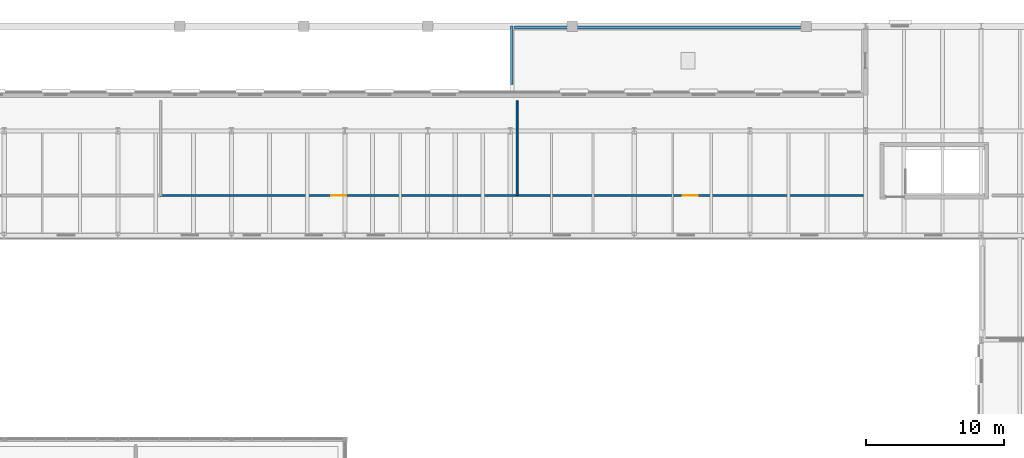
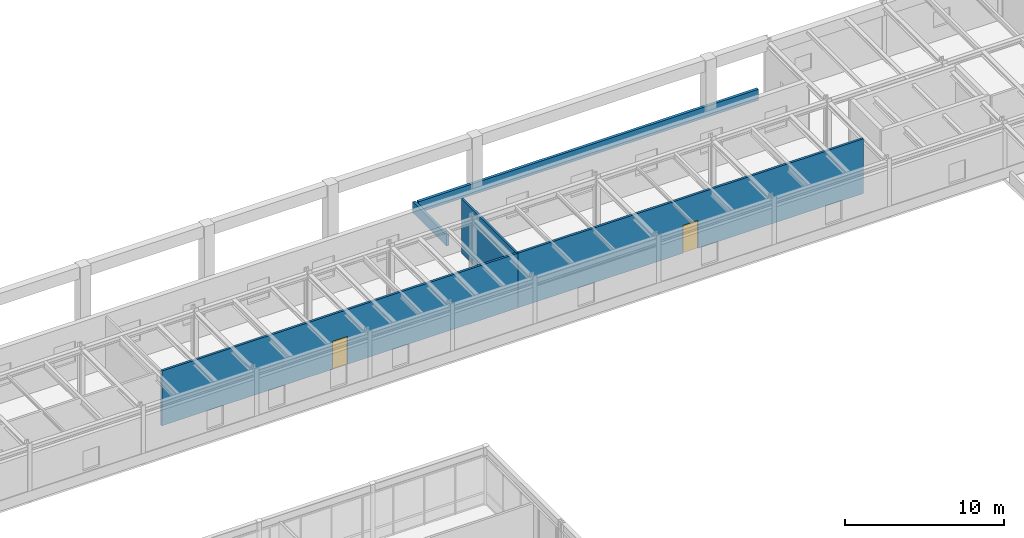
# One storey, part 51 of 64: 5 walls, 2 doors, 2 openings.
"""IFC4 building model written with IfcOpenShell, lengths in metres."""

from ifc_helpers import new_model, si_unit, direction, frame, frame_2d, origin, place, context, subcontext, project, spatial, rectangle, extrude, material, layer, layer_set, type_object, element, fill, save


model = new_model("IFC4")

# Units and contexts
model_context = context("Model", 3, precision=1e-05, world=origin(), true_north=direction((0.0, 1.0)))
body_context = subcontext(model_context, "Body", "Model", "MODEL_VIEW")
ifc_project = project(units=[si_unit("LENGTHUNIT", "METRE"), si_unit("AREAUNIT", "SQUARE_METRE"), si_unit("VOLUMEUNIT", "CUBIC_METRE"), si_unit("PLANEANGLEUNIT", "RADIAN"), si_unit("MASSUNIT", "GRAM", prefix="KILO")], contexts=[model_context])

# Site, building, storey
site_placement = place(None, origin())
site = spatial("IfcSite", under=ifc_project, at=site_placement, CompositionType="ELEMENT")
building_placement = place(site_placement, origin())
building = spatial("IfcBuilding", under=site, at=building_placement, Name="Montealbar Specialist Clinic", CompositionType="ELEMENT")
storey_placement = place(building_placement, frame((0.0, 0.0, 5.10009765625)))
storey = spatial("IfcBuildingStorey", under=building, at=storey_placement, Name="L01", CompositionType="ELEMENT", Elevation=5.10009765625)

# Walls
ifc_material_1 = material(Name="Precast concrete C40/50", Category="concrete")
ifc_layer_1 = layer(ifc_material_1, 0.199951171875, Name="Precast concrete C40/50", Category="concrete")
ifc_layer_set_1 = layer_set([ifc_layer_1], Name="Precast concrete C40/50")
wall_type_1 = type_object("IfcWallType", Name="WL-PARAPET-200", PredefinedType="PARAPET", material=ifc_layer_set_1)
wall_1_placement = place(storey_placement, frame((111.10009765625, 106.75, 0.0), z_axis=(0.0, 0.0, 1.0), x_axis=(0.0, 1.0, 0.0)))
element("IfcWall", 1, at=wall_1_placement, inside=storey, type_object=wall_type_1, Name="Roof Parapet L01-006", PredefinedType="PARAPET", context=body_context, shape_type="SweptSolid", body=[
    extrude(rectangle(XDim=4.25, YDim=0.199951171875, at=frame_2d((2.125, 0.0))), origin(), (0.0, 0.0, 1.0), 0.849853515625),
])
wall_2_placement = place(storey_placement, frame((111.31494140625, 110.89990234375, 0.0), z_axis=(0.0, 0.0, 1.0), x_axis=(1.0, 0.0, 0.0)))
element("IfcWall", 2, at=wall_2_placement, inside=storey, type_object=wall_type_1, Name="Roof Parapet L01-007", PredefinedType="PARAPET", context=body_context, shape_type="SweptSolid", body=[
    extrude(rectangle(XDim=24.735107421875, YDim=0.199951171875, at=frame_2d((12.36767578125, 0.0))), origin(), (0.0, 0.0, 1.0), 0.849853515625),
])
ifc_material_2 = material(Name="Gypsum acoustic partition", Category="gypsum")
ifc_layer_2 = layer(ifc_material_2, 0.139892578125, Name="Gypsum acoustic partition", Category="gypsum")
ifc_layer_set_2 = layer_set([ifc_layer_2], Name="Gypsum acoustic partition")
wall_type_2 = type_object("IfcWallType", Name="WL-PART-ACOUSTIC-140", PredefinedType="PARTITIONING", material=ifc_layer_set_2)
wall_3_placement = place(storey_placement, frame((111.5, 98.699951171875, 0.0), z_axis=(0.0, 0.0, 1.0), x_axis=(0.0, 1.0, 0.0)))
element("IfcWall", 3, at=wall_3_placement, inside=storey, type_object=wall_type_2, Name="Clinical Partition PART-L01-0083", PredefinedType="PARTITIONING", context=body_context, shape_type="SweptSolid", body=[
    extrude(rectangle(XDim=6.900146484375, YDim=0.139892578125, at=frame_2d((3.4501953125, 0.0))), origin(), (0.0, 0.0, 1.0), 4.2099609375),
])

# Wall, opening, door
ifc_layer_3 = layer(ifc_material_2, 0.159912109375, Name="Gypsum acoustic partition", Category="gypsum")
ifc_layer_set_3 = layer_set([ifc_layer_3], Name="Gypsum acoustic partition")
wall_type_3 = type_object("IfcWallType", Name="WL-PART-CLINIC-160", PredefinedType="PARTITIONING", material=ifc_layer_set_3)
wall_4_placement = place(storey_placement, frame((85.60009765625, 98.699951171875, 0.0), z_axis=(0.0, 0.0, 1.0), x_axis=(1.0, 0.0, 0.0)))
wall_4 = element("IfcWall", 4, at=wall_4_placement, inside=storey, type_object=wall_type_3, Name="Clinical Partition PART-L01-0082", PredefinedType="PARTITIONING", context=body_context, shape_type="SweptSolid", body=[
    extrude(rectangle(XDim=25.89990234375, YDim=0.159912109375, at=frame_2d((12.949951171875, 0.0))), origin(), (0.0, 0.0, 1.0), 4.2099609375),
])
opening_1_placement = place(wall_4_placement, frame((12.39990234375, 0.0, 0.0)))
opening_1 = element("IfcOpeningElement", 5, at=opening_1_placement, cuts=wall_4, Name="Opening ID-110", PredefinedType="OPENING", context=body_context, shape_type="SweptSolid", body=[
    extrude(rectangle(XDim=1.10009765625, YDim=2.14990234375, at=frame_2d((0.550048828125, 1.074951171875))), frame((0.0, 0.08984375, 0.0), z_axis=(0.0, -1.0, 0.0), x_axis=(1.0, 0.0, 0.0)), (0.0, 0.0, 1.0), 0.179931640625),
])
ifc_material_3 = material(Name="Acoustic timber leaf", Category="wood")
door_type = type_object("IfcDoorType", Name="DR-CLIN-W1100", OperationType="NOTDEFINED", PredefinedType="DOOR", material=ifc_material_3)
door_1_placement = place(opening_1_placement, frame((1.10009765625, 0.0, 0.0), z_axis=(0.0, 0.0, 1.0), x_axis=(-1.0, 0.0, 0.0)))
door_1 = element("IfcDoor", 6, at=door_1_placement, inside=storey, type_object=door_type, Name="Clinical Room Door IDR-L01-0055", OperationType="SINGLE_SWING_LEFT", OverallHeight=2.14990234375, OverallWidth=1.10009765625, PredefinedType="DOOR", context=body_context, shape_type="SweptSolid", body=[
    extrude(rectangle(XDim=1.10009765625, YDim=2.14990234375, at=frame_2d((0.550048828125, 1.074951171875))), frame((0.0, 0.02490234375, 0.0), z_axis=(0.0, -1.0, 0.0), x_axis=(1.0, 0.0, 0.0)), (0.0, 0.0, 1.0), 0.050048828125),
])
fill(opening_1, door_1)

wall_5_placement = place(storey_placement, frame((111.5, 98.699951171875, 0.0), z_axis=(0.0, 0.0, 1.0), x_axis=(1.0, 0.0, 0.0)))
wall_5 = element("IfcWall", 7, at=wall_5_placement, inside=storey, type_object=wall_type_3, Name="Clinical Partition PART-L01-0084", PredefinedType="PARTITIONING", context=body_context, shape_type="SweptSolid", body=[
    extrude(rectangle(XDim=25.14990234375, YDim=0.159912109375, at=frame_2d((12.574951171875, 0.0))), origin(), (0.0, 0.0, 1.0), 4.2099609375),
])
opening_2_placement = place(wall_5_placement, frame((12.02490234375, 0.0, 0.0)))
opening_2 = element("IfcOpeningElement", 8, at=opening_2_placement, cuts=wall_5, Name="Opening ID-110", PredefinedType="OPENING", context=body_context, shape_type="SweptSolid", body=[
    extrude(rectangle(XDim=1.10009765625, YDim=2.14990234375, at=frame_2d((0.550048828125, 1.074951171875))), frame((0.0, 0.08984375, 0.0), z_axis=(0.0, -1.0, 0.0), x_axis=(1.0, 0.0, 0.0)), (0.0, 0.0, 1.0), 0.179931640625),
])
door_2_placement = place(opening_2_placement, frame((1.10009765625, 0.0, 0.0), z_axis=(0.0, 0.0, 1.0), x_axis=(-1.0, 0.0, 0.0)))
door_2 = element("IfcDoor", 9, at=door_2_placement, inside=storey, type_object=door_type, Name="Clinical Room Door IDR-L01-0056", OperationType="SINGLE_SWING_RIGHT", OverallHeight=2.14990234375, OverallWidth=1.10009765625, PredefinedType="DOOR", context=body_context, shape_type="SweptSolid", body=[
    extrude(rectangle(XDim=1.10009765625, YDim=2.14990234375, at=frame_2d((0.550048828125, 1.074951171875))), frame((0.0, 0.02490234375, 0.0), z_axis=(0.0, -1.0, 0.0), x_axis=(1.0, 0.0, 0.0)), (0.0, 0.0, 1.0), 0.050048828125),
])
fill(opening_2, door_2)

save(model, "model.ifc")
